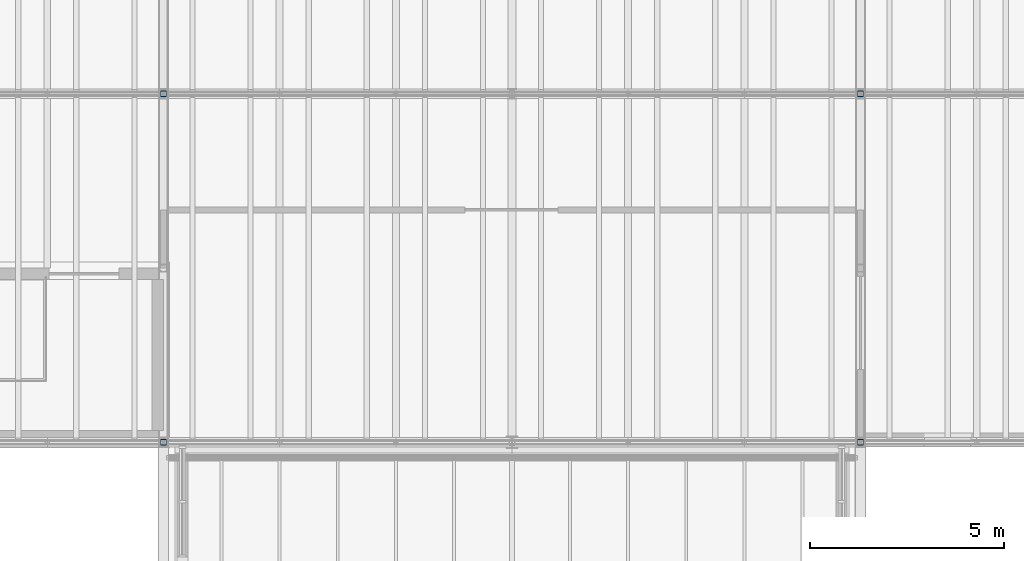
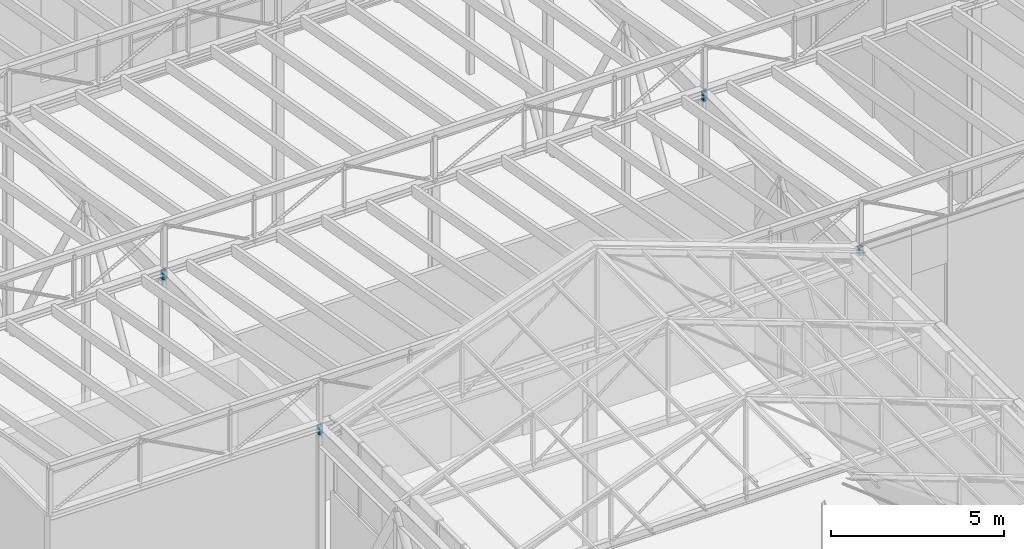
# One storey, part 64 of 90: 4 members.
"""IFC4 building model written with IfcOpenShell, lengths in metres."""

from ifc_helpers import new_model, si_unit, direction, frame, origin, origin_2d, place, context, subcontext, project, spatial, hollow_rectangle, extrude, material, material_profile, profile_set, type_object, element, save


model = new_model("IFC4")

# Units and contexts
model_context = context("Model", 3, precision=1e-05, world=origin(), true_north=direction((0.0, 1.0)))
body_context = subcontext(model_context, "Body", "Model", "MODEL_VIEW")
ifc_project = project(units=[si_unit("LENGTHUNIT", "METRE"), si_unit("AREAUNIT", "SQUARE_METRE"), si_unit("VOLUMEUNIT", "CUBIC_METRE"), si_unit("PLANEANGLEUNIT", "RADIAN"), si_unit("MASSUNIT", "GRAM", prefix="KILO")], contexts=[model_context])

# Site, building, storey
site_placement = place(None, origin())
site = spatial("IfcSite", under=ifc_project, at=site_placement, CompositionType="ELEMENT")
building_placement = place(site_placement, origin())
building = spatial("IfcBuilding", under=site, at=building_placement, Name="Halyard Row Museum", CompositionType="ELEMENT")
storey_placement = place(building_placement, frame((0.0, 0.0, 13.39990234375)))
storey = spatial("IfcBuildingStorey", under=building, at=storey_placement, Name="L03", CompositionType="ELEMENT", Elevation=13.39990234375)

# Members
ifc_material = material(Name="Steel Grade C350L0", Category="steel")
ifc_material_profile = material_profile(ifc_material, hollow_rectangle(XDim=0.14990234375, YDim=0.14990234375, WallThickness=0.006103515625, InnerFilletRadius=0.009033203125, OuterFilletRadius=0.014892578125, at=origin_2d()), Name="150x150x6.0SHS")
ifc_profile_set = profile_set([ifc_material_profile], Name="Steel Grade C350L0")
member_type = type_object("IfcMemberType", Name="Valley truss post 150x150x6.0SHS", PredefinedType="POST", material=ifc_profile_set)
for number, where, z_axis, x_axis, name in (
    (1, (36.0, 18.0, 7.22998046875), (0.0, 0.0, 1.0), (1.0, 0.0, 0.0), "V1-VT1 post 1.3 (on transfer truss)"),
    (2, (54.0, 18.0, 7.22998046875), (0.0, 0.0, 1.0), (1.0, 0.0, 0.0), "V1-VT1 post 3.3 (on transfer truss)"),
    (3, (36.0, 27.0, 7.22998046875), (0.0, 0.0, 1.0), (1.0, 0.0, 0.0), "V1-VT2 post 1.3 (on transfer truss)"),
    (4, (54.0, 27.0, 7.22998046875), (0.0, 0.0, 1.0), (1.0, 0.0, 0.0), "V1-VT2 post 3.3 (on transfer truss)"),
):
    element("IfcMember", number, at=place(storey_placement, frame(where, z_axis=z_axis, x_axis=x_axis)), inside=storey, type_object=member_type, Name=name, PredefinedType="POST", context=body_context, shape_type="SweptSolid", body=[
        extrude(hollow_rectangle(XDim=0.14990234375, YDim=0.14990234375, WallThickness=0.006103515625, InnerFilletRadius=0.009033203125, OuterFilletRadius=0.014892578125, at=origin_2d()), origin(), (0.0, 0.0, 1.0), 0.297119140625),
    ])

save(model, "model.ifc")
